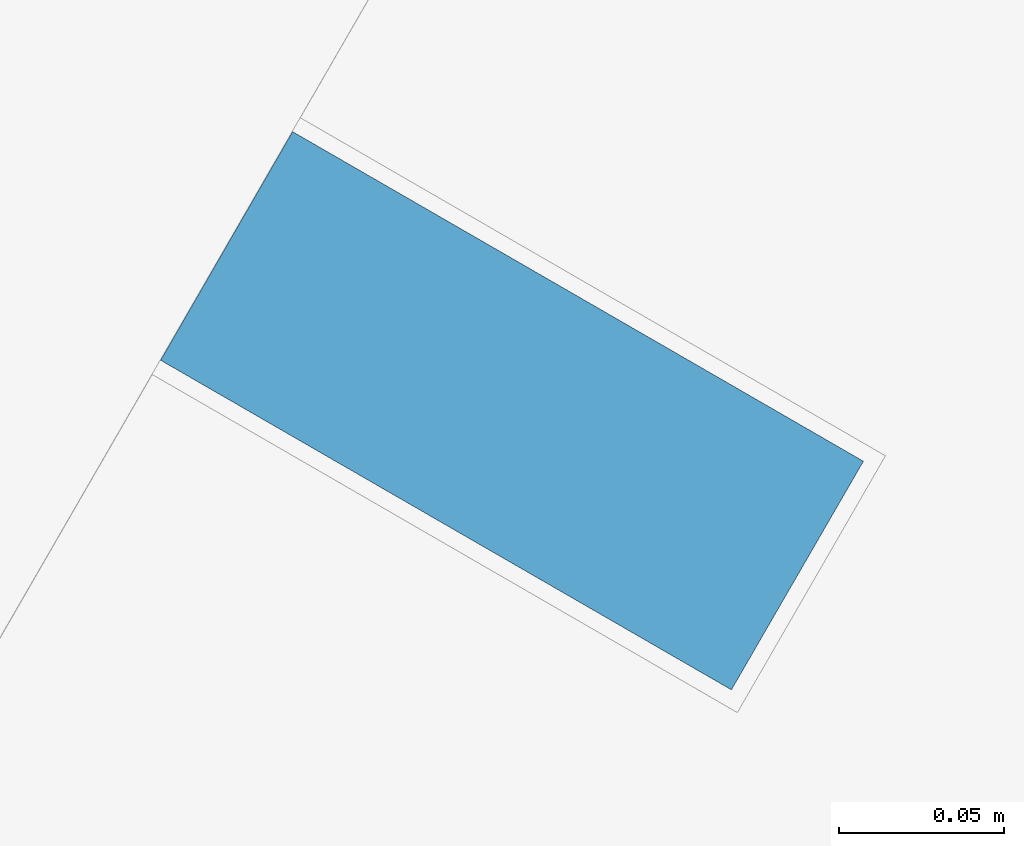
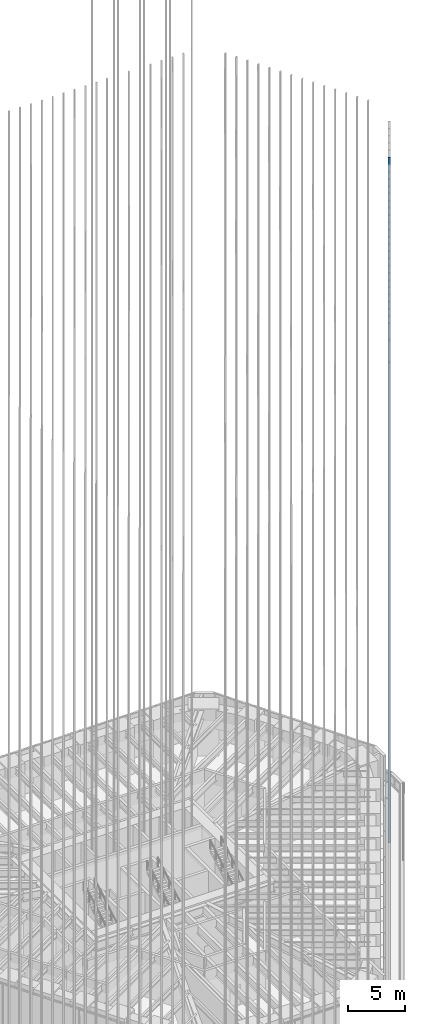
# One storey, part 119 of 228: 1 member, 1 element without a shape of its own.
"""IFC4 building model written with IfcOpenShell, lengths in metres."""

from ifc_helpers import new_model, si_unit, direction, frame, origin, origin_2d, place, context, subcontext, project, spatial, rectangle, extrude, material, material_profile, profile_set, type_object, element, aggregate, save


model = new_model("IFC4")

# Units and contexts
model_context = context("Model", 3, precision=1e-05, world=origin(), true_north=direction((0.0, 1.0)))
body_context = subcontext(model_context, "Body", "Model", "MODEL_VIEW")
ifc_project = project(units=[si_unit("LENGTHUNIT", "METRE"), si_unit("AREAUNIT", "SQUARE_METRE"), si_unit("VOLUMEUNIT", "CUBIC_METRE"), si_unit("PLANEANGLEUNIT", "RADIAN"), si_unit("MASSUNIT", "GRAM", prefix="KILO")], contexts=[model_context])

# Site, building, storey
site_placement = place(None, origin())
site = spatial("IfcSite", under=ifc_project, at=site_placement, CompositionType="ELEMENT")
building_placement = place(site_placement, origin())
building = spatial("IfcBuilding", under=site, at=building_placement, Name="Sandreach Pilgrim Tower", CompositionType="ELEMENT")
storey_placement = place(building_placement, frame((0.0, 0.0, 178.199951171875)))
storey = spatial("IfcBuildingStorey", under=building, at=storey_placement, Name="L44", CompositionType="ELEMENT", Elevation=178.199951171875)

# Curtain wall, member
ifc_material_1 = material(Name="Aluminium framed curtain wall", Category="aluminium")
curtain_wall_type = type_object("IfcCurtainWallType", Name="Upper hotel tower curtain wall", PredefinedType="NOTDEFINED", material=ifc_material_1)
curtain_wall_placement = place(storey_placement, origin())
curtain_wall = element("IfcCurtainWall", 1, at=curtain_wall_placement, inside=storey, type_object=curtain_wall_type, Name="CW-3 L44 SE", PredefinedType="NOTDEFINED")
ifc_material_2 = material(Name="Extruded terracotta on aluminium core", Category="masonry")
ifc_material_profile = material_profile(ifc_material_2, rectangle(XDim=0.080078125, YDim=0.199951171875, at=origin_2d()), Name="TBE 80X200")
ifc_profile_set = profile_set([ifc_material_profile], Name="Extruded terracotta on aluminium core")
member_type = type_object("IfcMemberType", Name="Terracotta baguette east", PredefinedType="USERDEFINED", material=ifc_profile_set)
member_placement = place(storey_placement, frame((24.17822265625, -1.242431640625, 0.0), z_axis=(0.0, 0.0, 1.0), x_axis=(-0.5, -0.866025403784, 0.0)))
member = element("IfcMember", 2, at=member_placement, type_object=member_type, Name="Baguette Z3 SE06", ObjectType="BAGUETTE", PredefinedType="USERDEFINED", context=body_context, shape_type="SweptSolid", body=[
    extrude(rectangle(XDim=0.080078125, YDim=0.199951171875, at=origin_2d()), origin(), (0.0, 0.0, 1.0), 73.239990234375),
])
aggregate(curtain_wall, [member])

save(model, "model.ifc")
